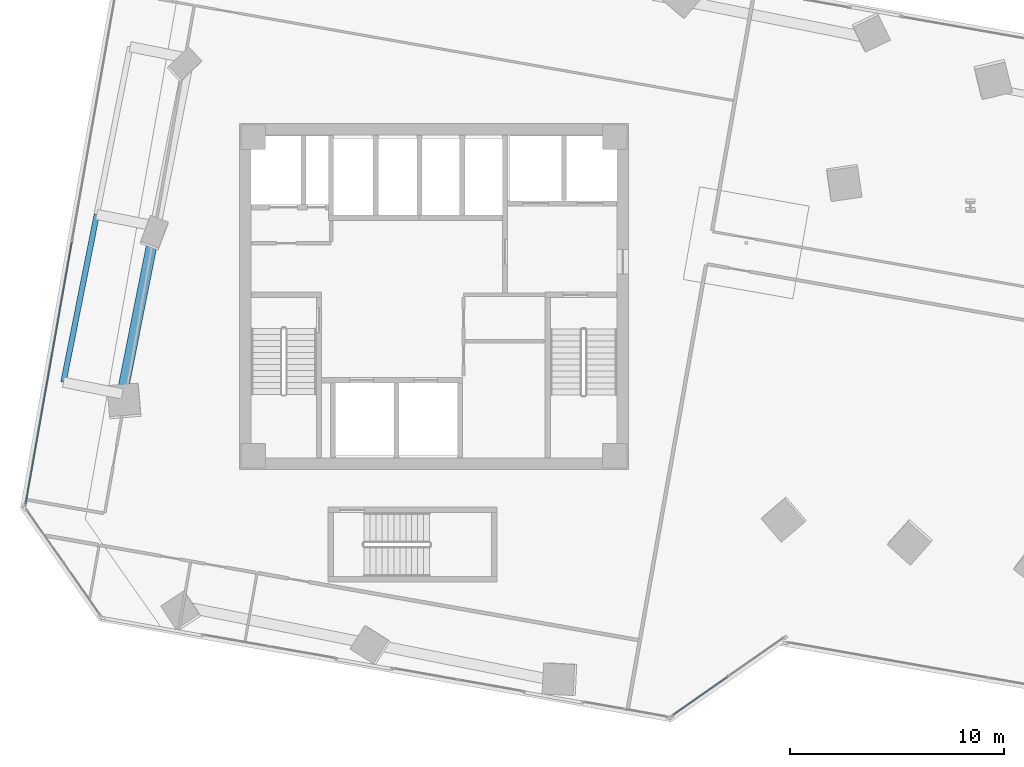
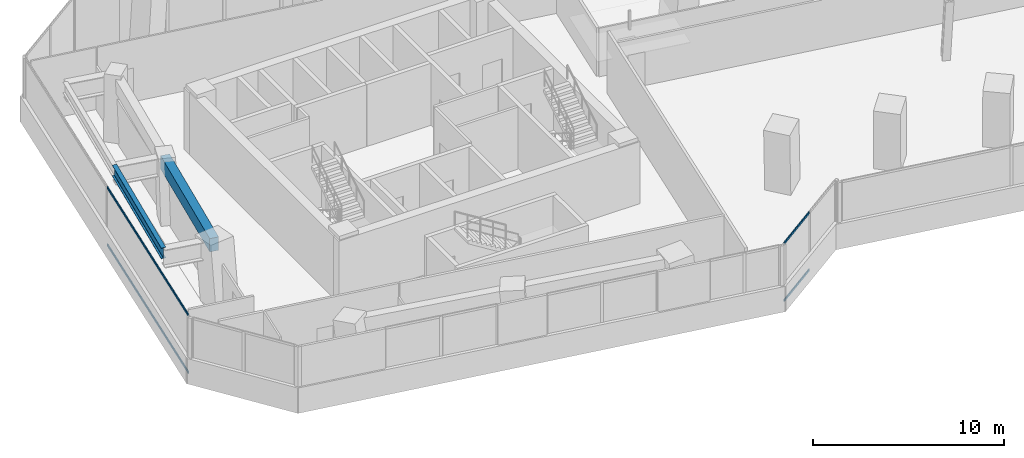
# One storey, part 5 of 24: 4 members, 2 beams, 2 elements without a shape of their own.
"""IFC4 building model written with IfcOpenShell, lengths in metres."""

import ifcopenshell
import ifcopenshell.guid

model = None  # the IFC model being written
_history = None  # IfcOwnerHistory: only IFC2X3 demands one
_inside = {}  # id of a spatial element -> (the spatial element, [elements in it])
_under = {}  # id of a project, library or spatial element -> (it, [spatial elements below it])
_declared = {}  # id of a project -> (the project, [libraries it declares])
_typed = {}  # id of a type object -> (the type object, [elements of that type])
_made_of = {}  # id of a material, layer set ... -> (it, [elements and type objects made of it])


def new_model(schema):
    """Start an empty IFC model of exactly this schema.

    Asked for "IFC4X3", IfcOpenShell would pick the latest addendum, in which some entities
    have other attributes; the version numbers below select the first issue.
    IFC2X3 requires an IfcOwnerHistory on every rooted entity: one is made here for all.
    """
    global model, _history
    if schema == "IFC4X3":
        model = ifcopenshell.file(schema_version=(4, 3, 0, 0))
    else:
        model = ifcopenshell.file(schema=schema)
    _inside.clear()
    _under.clear()
    _declared.clear()
    _typed.clear()
    _made_of.clear()
    _history = None
    if model.schema == "IFC2X3":
        org = make("IfcOrganization", Name="unknown")
        user = make(
            "IfcPersonAndOrganization",
            ThePerson=make("IfcPerson", FamilyName="unknown"),
            TheOrganization=org,
        )
        app = make(
            "IfcApplication",
            ApplicationDeveloper=org,
            Version="unknown",
            ApplicationFullName="unknown",
            ApplicationIdentifier="unknown",
        )
        _history = make(
            "IfcOwnerHistory",
            OwningUser=user,
            OwningApplication=app,
            ChangeAction="ADDED",
            CreationDate=0,
        )
    return model


def make(cls, **values):
    """One entity of the class cls with the attributes given. An attribute that is None is left unset."""
    return model.create_entity(
        cls, **{name: value for name, value in values.items() if value is not None}
    )


def rooted(cls, **values):
    """An entity with a GlobalId (a new one), such as an element, a storey or a relation."""
    return make(cls, GlobalId=ifcopenshell.guid.new(), OwnerHistory=_history, **values)


def si_unit(unit_type, name, prefix=None):
    """IfcSIUnit, for example si_unit("LENGTHUNIT", "METRE", prefix="MILLI")."""
    return make("IfcSIUnit", UnitType=unit_type, Prefix=prefix, Name=name)


def assignment(units):
    """IfcUnitAssignment: the units of a project."""
    return None if units is None else make("IfcUnitAssignment", Units=units)


def point(xyz):
    """IfcCartesianPoint."""
    return None if xyz is None else make("IfcCartesianPoint", Coordinates=xyz)


def direction(xyz):
    """IfcDirection."""
    return None if xyz is None else make("IfcDirection", DirectionRatios=xyz)


def frame(location, z_axis=None, x_axis=None):
    """IfcAxis2Placement3D, a coordinate frame: its origin and axes. An axis left out is left unset."""
    return make(
        "IfcAxis2Placement3D",
        Location=point(location),
        Axis=direction(z_axis),
        RefDirection=direction(x_axis),
    )


def frame_2d(location, x_axis=None):
    """IfcAxis2Placement2D, a coordinate frame in the plane: its origin and x axis."""
    return make(
        "IfcAxis2Placement2D", Location=point(location), RefDirection=direction(x_axis)
    )


def origin():
    """The frame at (0, 0, 0) with its axes left unset."""
    return frame((0.0, 0.0, 0.0))


def origin_2d():
    """The frame at (0, 0) in the plane with its x axis left unset."""
    return frame_2d((0.0, 0.0))


def place(relative_to, where):
    """IfcLocalPlacement: puts the frame where relative to a parent placement (None: the world)."""
    return make(
        "IfcLocalPlacement", PlacementRelTo=relative_to, RelativePlacement=where
    )


def context(
    kind, dimensions, precision=None, world=None, true_north=None, identifier=None
):
    """IfcGeometricRepresentationContext, for example the 3D "Model" context."""
    return make(
        "IfcGeometricRepresentationContext",
        ContextIdentifier=identifier,
        ContextType=kind,
        CoordinateSpaceDimension=dimensions,
        Precision=precision,
        WorldCoordinateSystem=world,
        TrueNorth=true_north,
    )


def subcontext(parent, identifier, kind, view, scale=None):
    """IfcGeometricRepresentationSubContext, for example "Body" below "Model"."""
    return make(
        "IfcGeometricRepresentationSubContext",
        ContextIdentifier=identifier,
        ContextType=kind,
        ParentContext=parent,
        TargetScale=scale,
        TargetView=view,
    )


def project(units=None, contexts=None):
    """IfcProject with its units and contexts."""
    return rooted(
        "IfcProject",
        Name="project",
        RepresentationContexts=contexts,
        UnitsInContext=assignment(units),
    )


def spatial(cls, under=None, at=None, **own):
    """A site, building, storey or space (cls), placed at a placement, below another one or the project."""
    s = rooted(cls, ObjectPlacement=at, **own)
    if under is not None:
        _under.setdefault(under.id(), (under, []))[1].append(s)
    return s


def profile(cls, at=None, kind="AREA", **sizes):
    """A parametric profile (cls). Its sizes go by their IFC names, for example OverallWidth=200.0."""
    return make(cls, ProfileType=kind, Position=at, **sizes)


def rectangle(**sizes):
    """IfcRectangleProfileDef."""
    return profile("IfcRectangleProfileDef", **sizes)


def hollow_rectangle(**sizes):
    """IfcRectangleHollowProfileDef."""
    return profile("IfcRectangleHollowProfileDef", **sizes)


def i_section(**sizes):
    """IfcIShapeProfileDef."""
    return profile("IfcIShapeProfileDef", **sizes)


def extrude(swept, where, along, depth):
    """IfcExtrudedAreaSolid: the profile swept, set in the frame where, extruded along a direction by depth."""
    return make(
        "IfcExtrudedAreaSolid",
        SweptArea=swept,
        Position=where,
        ExtrudedDirection=direction(along),
        Depth=depth,
    )


def shape(context_of_items, identifier, shape_type, items):
    """IfcShapeRepresentation: the items that make up one representation, for example the "Body"."""
    return make(
        "IfcShapeRepresentation",
        ContextOfItems=context_of_items,
        RepresentationIdentifier=identifier,
        RepresentationType=shape_type,
        Items=items,
    )


def source(mapping_origin, context_of_items, identifier, shape_type, items):
    """IfcRepresentationMap: a shape defined once, which mapped items show again and again."""
    return make(
        "IfcRepresentationMap",
        MappingOrigin=mapping_origin,
        MappedRepresentation=shape(context_of_items, identifier, shape_type, items),
    )


def transform(
    local_origin,
    x_axis=None,
    y_axis=None,
    z_axis=None,
    scale=None,
    scale2=None,
    scale3=None,
    uniform=True,
):
    """IfcCartesianTransformationOperator3D, or its non-uniform kind. x_axis, y_axis, z_axis: its Axis1, 2, 3."""
    if uniform:
        return make(
            "IfcCartesianTransformationOperator3D",
            Axis1=direction(x_axis),
            Axis2=direction(y_axis),
            LocalOrigin=point(local_origin),
            Scale=scale,
            Axis3=direction(z_axis),
        )
    return make(
        "IfcCartesianTransformationOperator3DnonUniform",
        Axis1=direction(x_axis),
        Axis2=direction(y_axis),
        LocalOrigin=point(local_origin),
        Scale=scale,
        Axis3=direction(z_axis),
        Scale2=scale2,
        Scale3=scale3,
    )


def mapped(mapping_source, mapping_target):
    """IfcMappedItem: shows the shape of a source again, moved by a transform."""
    return make(
        "IfcMappedItem", MappingSource=mapping_source, MappingTarget=mapping_target
    )


def material(Name=None, Category=None):
    """IfcMaterial."""
    return make("IfcMaterial", Name=Name, Category=Category)


def material_profile(
    of_material, cross_section, Name=None, Category=None, Priority=None
):
    """IfcMaterialProfile: a cross section and its material."""
    return make(
        "IfcMaterialProfile",
        Name=Name,
        Material=of_material,
        Profile=cross_section,
        Priority=Priority,
        Category=Category,
    )


def profile_set(profiles, Name=None, composite=None):
    """IfcMaterialProfileSet."""
    return make(
        "IfcMaterialProfileSet",
        Name=Name,
        MaterialProfiles=profiles,
        CompositeProfile=composite,
    )


def made_of(thing, what):
    """Note that an element or type object is made of a material, layer set ...; save() writes the relation."""
    if what is not None:
        _made_of.setdefault(what.id(), (what, []))[1].append(thing)
    return thing


def type_object(cls, material=None, **own):
    """A type object (cls), such as IfcWallType, which elements share."""
    return made_of(rooted(cls, **own), material)


def element(
    cls,
    number,
    at=None,
    inside=None,
    cuts=None,
    type_object=None,
    material=None,
    context=None,
    identifier="Body",
    shape_type=None,
    held_by="IfcProductDefinitionShape",
    body=None,
    shapes=None,
    **own,
):
    """One element of the class cls, such as IfcWall. Its Tag is "e" and its number.

    at: its placement. inside: the storey or other place that contains it. cuts: it is an
    opening in that element (IfcRelVoidsElement). A single representation is given by context,
    identifier, shape_type and body (its items); several are given by shapes. held_by: the class
    of the entity that holds the representations. save() writes the other relations.
    """
    e = rooted(cls, Tag="e%d" % number, ObjectPlacement=at, **own)
    if body is not None:
        shapes = [shape(context, identifier, shape_type, body)]
    if shapes is not None:
        e.Representation = make(held_by, Representations=shapes)
    if inside is not None:
        _inside.setdefault(inside.id(), (inside, []))[1].append(e)
    if cuts is not None:
        rooted(
            "IfcRelVoidsElement", RelatingBuildingElement=cuts, RelatedOpeningElement=e
        )
    if type_object is not None:
        _typed.setdefault(type_object.id(), (type_object, []))[1].append(e)
    return made_of(e, material)


def aggregate(whole, parts):
    """IfcRelAggregates: a whole, such as a stair, and the parts it consists of."""
    return rooted("IfcRelAggregates", RelatingObject=whole, RelatedObjects=parts)


def save(model, path):
    """Write the relations noted so far, then the file.

    IfcRelAggregates (storeys below a building ...), IfcRelContainedInSpatialStructure (elements
    in a storey), IfcRelDefinesByType, IfcRelAssociatesMaterial and IfcRelDeclares: one each for
    every whole, place, type object, material and project.
    """
    for whole, parts in _under.values():
        aggregate(whole, parts)
    for where, things in _inside.values():
        rooted(
            "IfcRelContainedInSpatialStructure",
            RelatedElements=things,
            RelatingStructure=where,
        )
    for kind, things in _typed.values():
        rooted("IfcRelDefinesByType", RelatedObjects=things, RelatingType=kind)
    for what, things in _made_of.values():
        rooted("IfcRelAssociatesMaterial", RelatedObjects=things, RelatingMaterial=what)
    for by, libraries in _declared.values():
        rooted("IfcRelDeclares", RelatingContext=by, RelatedDefinitions=libraries)
    model.write(path)


model = new_model("IFC4")

# Units and contexts
model_context = context("Model", 3, precision=1e-05, world=origin(), true_north=direction((0.0, 1.0)))
body_context = subcontext(model_context, "Body", "Model", "MODEL_VIEW")
ifc_project = project(units=[si_unit("LENGTHUNIT", "METRE"), si_unit("AREAUNIT", "SQUARE_METRE"), si_unit("VOLUMEUNIT", "CUBIC_METRE"), si_unit("PLANEANGLEUNIT", "RADIAN"), si_unit("MASSUNIT", "GRAM", prefix="KILO")], contexts=[model_context])

# Site, building, storey
site_placement = place(None, origin())
site = spatial("IfcSite", under=ifc_project, at=site_placement, CompositionType="ELEMENT")
building_placement = place(site_placement, origin())
building = spatial("IfcBuilding", under=site, at=building_placement, Name="Torre Montelarca", CompositionType="ELEMENT")
storey_placement = place(building_placement, frame((0.0, 0.0, 79.0)))
storey = spatial("IfcBuildingStorey", under=building, at=storey_placement, Name="L17", CompositionType="ELEMENT", Elevation=79.0)

# Beams
ifc_material_1 = material(Name="Steel ASTM A992 Grade 50", Category="steel")
ifc_material_profile_1 = material_profile(ifc_material_1, i_section(OverallWidth=0.256103515625, OverallDepth=0.693115234375, WebThickness=0.014404296875, FlangeThickness=0.023681640625, FilletRadius=0.01806640625, at=origin_2d()), Name="W690X170", Category="steel")
ifc_profile_set_1 = profile_set([ifc_material_profile_1], Name="Steel ASTM A992 Grade 50")
beam_type_1 = type_object("IfcBeamType", Name="BM-G-W690-EXT", PredefinedType="BEAM", material=ifc_profile_set_1)
shared_shape_1 = source(origin(), body_context, "Body", "SweptSolid", [
    extrude(i_section(OverallWidth=0.256103515625, OverallDepth=0.693115234375, WebThickness=0.014404296875, FlangeThickness=0.023681640625, FilletRadius=0.01806640625, at=origin_2d()), origin(), (0.0, 0.0, 1.0), 8.0),
])
beam_1_placement = place(storey_placement, frame((0.666748046875, 27.9873046875, 3.614013671875), z_axis=(0.195100724051, 0.980783211253, 0.0), x_axis=(-0.980783211253, 0.195100724051, 0.0)))
element("IfcBeam", 1, at=beam_1_placement, inside=storey, type_object=beam_type_1, Name="L17 Sliding Tray Edge Girder West 24.0-32.0m (FLR)", PredefinedType="BEAM", context=body_context, shape_type="MappedRepresentation", body=[
    mapped(shared_shape_1, transform((0.0, 0.0, 0.0), scale=1.0)),
])
ifc_material_2 = material(Name="Concrete C55/67", Category="concrete")
ifc_material_profile_2 = material_profile(ifc_material_2, rectangle(XDim=0.5, YDim=0.85009765625, at=origin_2d()), Name="RCB500X850", Category="concrete")
ifc_profile_set_2 = profile_set([ifc_material_profile_2], Name="Concrete C55/67")
beam_type_2 = type_object("IfcBeamType", Name="BM-SP-RC850-EXT", PredefinedType="SPANDREL", material=ifc_profile_set_2)
shared_shape_2 = source(origin(), body_context, "Body", "SweptSolid", [
    extrude(rectangle(XDim=0.5, YDim=0.85009765625, at=origin_2d()), origin(), (0.0, 0.0, 1.0), 8.000244140625),
])
beam_2_placement = place(storey_placement, frame((3.4130859375, 27.44091796875, 3.534912109375), z_axis=(0.195094884582, 0.980784372841, 0.0), x_axis=(-0.980784372841, 0.195094884582, 0.0)))
element("IfcBeam", 2, at=beam_2_placement, inside=storey, type_object=beam_type_2, Name="L17 Grid Girder Y 24.0-32.0 at X=4.7", PredefinedType="SPANDREL", context=body_context, shape_type="MappedRepresentation", body=[
    mapped(shared_shape_2, transform((0.0, 0.0, 0.0), scale=1.0)),
])

# Curtain wall, members
ifc_material_3 = material(Name="Insulated low-E laminated glass", Category="glass")
curtain_wall_type = type_object("IfcCurtainWallType", Name="CW-SYS-Z1", PredefinedType="USERDEFINED", material=ifc_material_3)
curtain_wall_1_placement = place(storey_placement, origin())
curtain_wall_1 = element("IfcCurtainWall", 3, at=curtain_wall_1_placement, inside=storey, type_object=curtain_wall_type, Name="L17 Curtain Wall Run CW-T3-L17-E02-B1", ObjectType="UNITISED GLAZING", PredefinedType="USERDEFINED")
ifc_material_4 = material(Name="Anodised aluminium AA 6063-T6", Category="aluminium")
ifc_material_profile_3 = material_profile(ifc_material_4, hollow_rectangle(XDim=0.06494140625, YDim=0.139892578125, WallThickness=0.00390625, InnerFilletRadius=0.00390625, OuterFilletRadius=0.008056640625, at=origin_2d()), Name="ALU65X140X4", Category="aluminium")
ifc_profile_set_3 = profile_set([ifc_material_profile_3], Name="Anodised aluminium AA 6063-T6")
member_type = type_object("IfcMemberType", Name="CWT-ALU140", PredefinedType="USERDEFINED", material=ifc_profile_set_3)
shared_shape_3 = source(origin(), body_context, "Body", "SweptSolid", [
    extrude(hollow_rectangle(XDim=0.06494140625, YDim=0.139892578125, WallThickness=0.00390625, InnerFilletRadius=0.00390625, OuterFilletRadius=0.008056640625, at=origin_2d()), origin(), (0.0, 0.0, 1.0), 3.1025390625),
])
member_1_placement = place(storey_placement, frame((29.1884765625, 12.422607421875, 0.032470703125), z_axis=(0.819157977242, 0.573567963123, 0.0), x_axis=(-0.573567963123, 0.819157977242, 0.0)))
member_1 = element("IfcMember", 4, at=member_1_placement, type_object=member_type, Name="CW transom 1.1", ObjectType="TRANSOM", PredefinedType="USERDEFINED", context=body_context, shape_type="MappedRepresentation", body=[
    mapped(shared_shape_3, transform((0.0, 0.0, 0.0), scale=1.0)),
])
member_2_placement = place(storey_placement, frame((29.1884765625, 12.422607421875, 3.6875), z_axis=(0.819157977242, 0.573567963123, 0.0), x_axis=(-0.573567963123, 0.819157977242, 0.0)))
member_2 = element("IfcMember", 5, at=member_2_placement, type_object=member_type, Name="CW transom 1.2", ObjectType="TRANSOM", PredefinedType="USERDEFINED", context=body_context, shape_type="MappedRepresentation", body=[
    mapped(shared_shape_3, transform((0.0, 0.0, 0.0), scale=1.0)),
])
aggregate(curtain_wall_1, [member_1, member_2])

curtain_wall_2_placement = place(storey_placement, origin())
curtain_wall_2 = element("IfcCurtainWall", 6, at=curtain_wall_2_placement, inside=storey, type_object=curtain_wall_type, Name="L17 Curtain Wall Run CW-T3-L17-E10-B1", ObjectType="UNITISED GLAZING", PredefinedType="USERDEFINED")
shared_shape_4 = source(origin(), body_context, "Body", "SweptSolid", [
    extrude(hollow_rectangle(XDim=0.06494140625, YDim=0.139892578125, WallThickness=0.00390625, InnerFilletRadius=0.00390625, OuterFilletRadius=0.008056640625, at=origin_2d()), origin(), (0.0, 0.0, 1.0), 12.4365234375),
])
member_3_placement = place(storey_placement, frame((1.063232421875, 34.55517578125, 0.032470703125), z_axis=(-0.173636386485, -0.984809832043, 0.0), x_axis=(0.984809832043, -0.173636386485, 0.0)))
member_3 = element("IfcMember", 7, at=member_3_placement, type_object=member_type, Name="CW transom 2.1", ObjectType="TRANSOM", PredefinedType="USERDEFINED", context=body_context, shape_type="MappedRepresentation", body=[
    mapped(shared_shape_4, transform((0.0, 0.0, 0.0), scale=1.0)),
])
member_4_placement = place(storey_placement, frame((1.063232421875, 34.55517578125, 3.6875), z_axis=(-0.173636386485, -0.984809832043, 0.0), x_axis=(0.984809832043, -0.173636386485, 0.0)))
member_4 = element("IfcMember", 8, at=member_4_placement, type_object=member_type, Name="CW transom 2.2", ObjectType="TRANSOM", PredefinedType="USERDEFINED", context=body_context, shape_type="MappedRepresentation", body=[
    mapped(shared_shape_4, transform((0.0, 0.0, 0.0), scale=1.0)),
])
aggregate(curtain_wall_2, [member_3, member_4])

save(model, "model.ifc")
